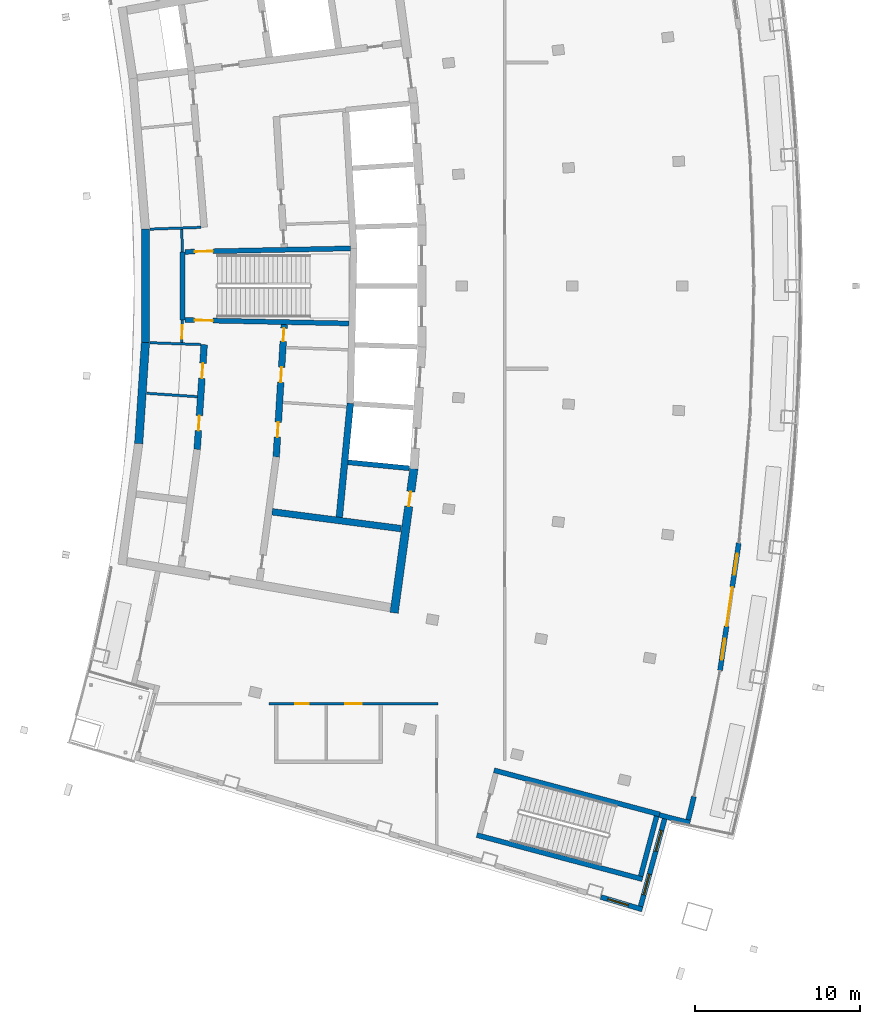
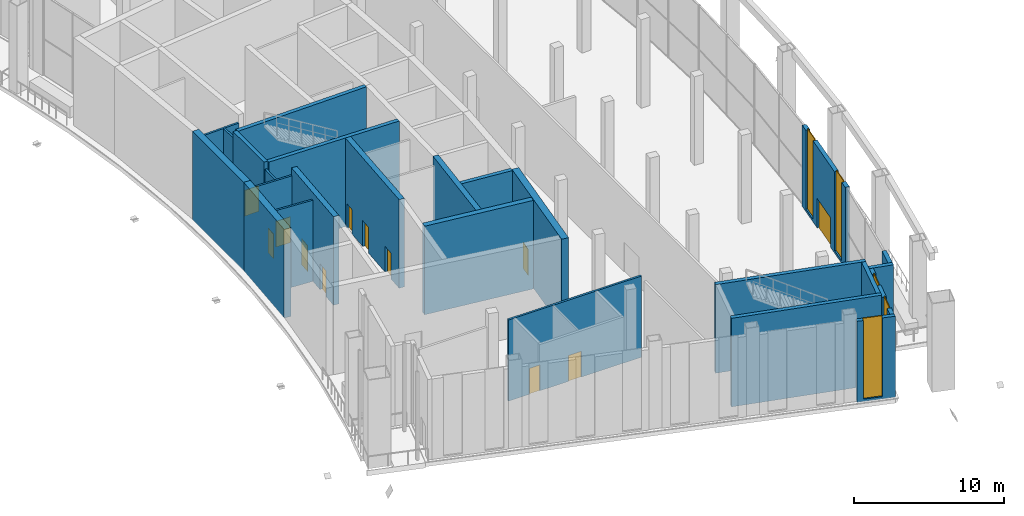
# One storey, part 14 of 25: 25 walls, 12 doors, 5 windows, 17 openings.
"""IFC4 building model written with IfcOpenShell, lengths in metres."""

from ifc_helpers import new_model, si_unit, direction, frame, frame_2d, origin, place, context, subcontext, project, spatial, rectangle, extrude, material, layer, layer_set, type_object, element, fill, save


model = new_model("IFC4")

# Units and contexts
model_context = context("Model", 3, precision=1e-05, world=origin(), true_north=direction((0.0, 1.0)))
body_context = subcontext(model_context, "Body", "Model", "MODEL_VIEW")
ifc_project = project(units=[si_unit("LENGTHUNIT", "METRE"), si_unit("AREAUNIT", "SQUARE_METRE"), si_unit("VOLUMEUNIT", "CUBIC_METRE"), si_unit("PLANEANGLEUNIT", "RADIAN"), si_unit("MASSUNIT", "GRAM", prefix="KILO")], contexts=[model_context])

# Site, building, storey
site_placement = place(None, origin())
site = spatial("IfcSite", under=ifc_project, at=site_placement, CompositionType="ELEMENT")
building_placement = place(site_placement, origin())
building = spatial("IfcBuilding", under=site, at=building_placement, Name="Alderwake Tower", CompositionType="ELEMENT")
storey_placement = place(building_placement, frame((0.0, 0.0, 288.800048828125)))
storey = spatial("IfcBuildingStorey", under=building, at=storey_placement, Name="L72", CompositionType="ELEMENT", Elevation=288.800048828125)

# Wall, opening, door
ifc_material_1 = material(Name="Gypsum shaft wall system, rated")
ifc_layer_1 = layer(ifc_material_1, 0.14990234375)
ifc_layer_set_1 = layer_set([ifc_layer_1], Name="Core room partition 150")
wall_type_1 = type_object("IfcWallType", Name="Core room partition 150", PredefinedType="PARTITIONING", material=ifc_layer_set_1)
wall_1_placement = place(storey_placement, frame((18.918701171875, 58.94384765625, 0.0), z_axis=(0.0, 0.0, 1.0), x_axis=(-0.027811602725, -0.999613182563, 0.0)))
wall_1 = element("IfcWall", 1, at=wall_1_placement, inside=storey, type_object=wall_type_1, Name="CW/L72/PA+24_-37", PredefinedType="PARTITIONING", context=body_context, shape_type="SweptSolid", body=[
    extrude(rectangle(XDim=1.369384765625, YDim=0.14990234375, at=frame_2d((0.6845703125, 0.0))), origin(), (0.0, 0.0, 1.0), 6.599853515625),
])
opening_1_placement = place(wall_1_placement, frame((0.322998046875, 0.0, 0.0)))
opening_1 = element("IfcOpeningElement", 2, at=opening_1_placement, cuts=wall_1, Name="Opening C004", PredefinedType="OPENING", context=body_context, shape_type="SweptSolid", body=[
    extrude(rectangle(XDim=0.800048828125, YDim=2.0, at=frame_2d((0.39990234375, 1.0))), frame((0.0, 0.0849609375, 0.0), z_axis=(0.0, -1.0, 0.0), x_axis=(1.0, 0.0, 0.0)), (0.0, 0.0, 1.0), 0.169921875),
])
ifc_material_2 = material(Name="Painted steel leaf, rated", Category="steel")
door_type_1 = type_object("IfcDoorType", Name="Riser access door 800", OperationType="SINGLE_SWING_LEFT", PredefinedType="DOOR", material=ifc_material_2)
door_1_placement = place(opening_1_placement, origin())
door_1 = element("IfcDoor", 3, at=door_1_placement, inside=storey, type_object=door_type_1, Name="Riser access door", OperationType="SINGLE_SWING_RIGHT", OverallHeight=2.0, OverallWidth=0.800048828125, PredefinedType="DOOR", context=body_context, shape_type="SweptSolid", body=[
    extrude(rectangle(XDim=0.800048828125, YDim=2.0, at=frame_2d((0.39990234375, 1.0))), frame((0.0, 0.02490234375, 0.0), z_axis=(0.0, -1.0, 0.0), x_axis=(1.0, 0.0, 0.0)), (0.0, 0.0, 1.0), 0.050048828125),
])
fill(opening_1, door_1)

# Walls
wall_2_placement = place(storey_placement, frame((18.918701171875, 63.05517578125, 0.0), z_axis=(0.0, 0.0, 1.0), x_axis=(-0.027791791559, 0.99961373356, 0.0)))
element("IfcWall", 4, at=wall_2_placement, inside=storey, type_object=wall_type_1, Name="CW/L72/PA+24_+22", PredefinedType="PARTITIONING", context=body_context, shape_type="SweptSolid", body=[
    extrude(rectangle(XDim=1.370361328125, YDim=0.14990234375, at=frame_2d((0.68505859375, 0.0))), origin(), (0.0, 0.0, 1.0), 6.599853515625),
])
wall_3_placement = place(storey_placement, frame((16.7646484375, 54.512939453125, 0.0), z_axis=(0.0, 0.0, 1.0), x_axis=(0.997758318264, -0.066920388042, 0.0)))
element("IfcWall", 5, at=wall_3_placement, inside=storey, type_object=wall_type_1, Name="CW/L72/PR-70_+0", PredefinedType="PARTITIONING", context=body_context, shape_type="SweptSolid", body=[
    extrude(rectangle(XDim=3.068115234375, YDim=0.14990234375, at=frame_2d((1.5341796875, 0.0))), origin(), (0.0, 0.0, 1.0), 6.599853515625),
])
for number, where, z_axis, x_axis, name in (
    (6, (16.969482421875, 57.5673828125, 0.0), (0.0, 0.0, 1.0), (0.999376258731, -0.035314210814, 0.0), "CW/L72/PR-37_+0"),
    (7, (16.969482421875, 64.4326171875, 0.0), (0.0, 0.0, 1.0), (0.999376258731, 0.035314210814, 0.0), "CW/L72/PR+37_+0"),
):
    element("IfcWall", number, at=place(storey_placement, frame(where, z_axis=z_axis, x_axis=x_axis)), inside=storey, type_object=wall_type_1, Name=name, PredefinedType="PARTITIONING", context=body_context, shape_type="SweptSolid", body=[
        extrude(rectangle(XDim=3.069580078125, YDim=0.14990234375, at=frame_2d((1.53466796875, 0.0))), origin(), (0.0, 0.0, 1.0), 6.599853515625),
    ])
ifc_material_3 = material(Name="Concrete C70/85", Category="concrete")
ifc_layer_2 = layer(ifc_material_3, 0.5)
ifc_layer_set_2 = layer_set([ifc_layer_2], Name="Core wall outer 500 C70-85")
wall_type_2 = type_object("IfcWallType", Name="Core wall outer 500 C70-85", PredefinedType="SHEAR", material=ifc_layer_set_2)
wall_4_placement = place(storey_placement, frame((16.280517578125, 51.4765625, 0.0), z_axis=(0.0, 0.0, 1.0), x_axis=(0.066863022947, 0.997762164127, 0.0)))
element("IfcWall", 8, at=wall_4_placement, inside=storey, type_object=wall_type_2, Name="Core wall CW.027", PredefinedType="SHEAR", context=body_context, shape_type="SweptSolid", body=[
    extrude(rectangle(XDim=6.123291015625, YDim=0.5, at=frame_2d((3.0615234375, 0.0))), origin(), (0.0, 0.0, 1.0), 7.199951171875),
])
wall_5_placement = place(storey_placement, frame((16.689453125, 57.568603515625, 0.0), z_axis=(0.0, 0.0, 1.0), x_axis=(0.0, 1.0, 0.0)))
element("IfcWall", 9, at=wall_5_placement, inside=storey, type_object=wall_type_2, Name="Core wall CW.029", PredefinedType="SHEAR", context=body_context, shape_type="SweptSolid", body=[
    extrude(rectangle(XDim=6.86474609375, YDim=0.5, at=frame_2d((3.432373046875, 0.0))), origin(), (0.0, 0.0, 1.0), 7.199951171875),
])

# Wall, opening, door
wall_6_placement = place(storey_placement, frame((32.912109375, 49.960693359375, 0.0), z_axis=(0.0, 0.0, 1.0), x_axis=(-0.1358539401, -0.990728876615, 0.0)))
wall_6 = element("IfcWall", 10, at=wall_6_placement, inside=storey, type_object=wall_type_2, Name="Core wall CW.022", PredefinedType="SHEAR", context=body_context, shape_type="SweptSolid", body=[
    extrude(rectangle(XDim=8.794921875, YDim=0.5, at=frame_2d((4.3974609375, 0.0))), origin(), (0.0, 0.0, 1.0), 7.199951171875),
])
opening_2_placement = place(wall_6_placement, frame((1.40283203125, 0.0, 0.0)))
opening_2 = element("IfcOpeningElement", 11, at=opening_2_placement, cuts=wall_6, Name="Opening C050", PredefinedType="OPENING", context=body_context, shape_type="SweptSolid", body=[
    extrude(rectangle(XDim=0.89990234375, YDim=2.10009765625, at=frame_2d((0.449951171875, 1.050048828125))), frame((0.0, 0.260009765625, 0.0), z_axis=(0.0, -1.0, 0.0), x_axis=(1.0, 0.0, 0.0)), (0.0, 0.0, 1.0), 0.52001953125),
])
ifc_material_4 = material(Name="Painted steel leaf", Category="steel")
door_type_2 = type_object("IfcDoorType", Name="Core room door 900", OperationType="SINGLE_SWING_LEFT", PredefinedType="DOOR", material=ifc_material_4)
door_2_placement = place(opening_2_placement, origin())
door_2 = element("IfcDoor", 12, at=door_2_placement, inside=storey, type_object=door_type_2, Name="Room door", OperationType="SINGLE_SWING_RIGHT", OverallHeight=2.10009765625, OverallWidth=0.89990234375, PredefinedType="DOOR", context=body_context, shape_type="SweptSolid", body=[
    extrude(rectangle(XDim=0.89990234375, YDim=2.10009765625, at=frame_2d((0.449951171875, 1.050048828125))), frame((0.0, 0.02490234375, 0.0), z_axis=(0.0, -1.0, 0.0), x_axis=(1.0, 0.0, 0.0)), (0.0, 0.0, 1.0), 0.050048828125),
])
fill(opening_2, door_2)

# Wall
ifc_material_5 = material(Name="Concrete C70/85", Category="concrete")
ifc_layer_3 = layer(ifc_material_5, 0.300048828125)
ifc_layer_set_3 = layer_set([ifc_layer_3], Name="Core wall shaft 300 C70-85")
wall_type_3 = type_object("IfcWallType", Name="Core wall shaft 300 C70-85", PredefinedType="SHEAR", material=ifc_layer_set_3)
wall_7_placement = place(storey_placement, frame((28.92529296875, 50.341552734375, 0.0), z_axis=(0.0, 0.0, 1.0), x_axis=(0.995243989982, -0.097413553492, 0.0)))
element("IfcWall", 13, at=wall_7_placement, inside=storey, type_object=wall_type_3, Name="Core wall CW.064", PredefinedType="SHEAR", context=body_context, shape_type="SweptSolid", body=[
    extrude(rectangle(XDim=3.724365234375, YDim=0.300048828125, at=frame_2d((1.8623046875, 0.0))), origin(), (0.0, 0.0, 1.0), 7.199951171875),
])

# Wall, openings, doors
ifc_material_6 = material(Name="Concrete C70/85", Category="concrete")
ifc_layer_4 = layer(ifc_material_6, 0.39990234375)
ifc_layer_set_4 = layer_set([ifc_layer_4], Name="Core wall spine 400 C70-85")
wall_type_4 = type_object("IfcWallType", Name="Core wall spine 400 C70-85", PredefinedType="SHEAR", material=ifc_layer_set_4)
wall_8_placement = place(storey_placement, frame((20.2373046875, 57.451904296875, 0.0), z_axis=(0.0, 0.0, 1.0), x_axis=(-0.066884681503, -0.997760712486, 0.0)))
wall_8 = element("IfcWall", 14, at=wall_8_placement, inside=storey, type_object=wall_type_4, Name="Core wall CW.032", PredefinedType="SHEAR", context=body_context, shape_type="SweptSolid", body=[
    extrude(rectangle(XDim=6.336669921875, YDim=0.39990234375, at=frame_2d((3.16845703125, 0.0))), origin(), (0.0, 0.0, 1.0), 7.199951171875),
])
opening_3_placement = place(wall_8_placement, frame((4.29736328125, 0.0, 0.0)))
opening_3 = element("IfcOpeningElement", 15, at=opening_3_placement, cuts=wall_8, Name="Opening C038", PredefinedType="OPENING", context=body_context, shape_type="SweptSolid", body=[
    extrude(rectangle(XDim=0.89990234375, YDim=2.10009765625, at=frame_2d((0.449951171875, 1.050048828125))), frame((0.0, 0.2099609375, 0.0), z_axis=(0.0, -1.0, 0.0), x_axis=(1.0, 0.0, 0.0)), (0.0, 0.0, 1.0), 0.419921875),
])
opening_4_placement = place(wall_8_placement, frame((1.132080078125, 0.0, 0.0)))
opening_4 = element("IfcOpeningElement", 16, at=opening_4_placement, cuts=wall_8, Name="Opening C042", PredefinedType="OPENING", context=body_context, shape_type="SweptSolid", body=[
    extrude(rectangle(XDim=0.89990234375, YDim=2.10009765625, at=frame_2d((0.449951171875, 1.050048828125))), frame((0.0, 0.2099609375, 0.0), z_axis=(0.0, -1.0, 0.0), x_axis=(1.0, 0.0, 0.0)), (0.0, 0.0, 1.0), 0.419921875),
])
door_3_placement = place(opening_3_placement, origin())
door_3 = element("IfcDoor", 17, at=door_3_placement, inside=storey, type_object=door_type_2, Name="Room door", OperationType="SINGLE_SWING_RIGHT", OverallHeight=2.10009765625, OverallWidth=0.89990234375, PredefinedType="DOOR", context=body_context, shape_type="SweptSolid", body=[
    extrude(rectangle(XDim=0.89990234375, YDim=2.10009765625, at=frame_2d((0.449951171875, 1.050048828125))), frame((0.0, 0.02490234375, 0.0), z_axis=(0.0, -1.0, 0.0), x_axis=(1.0, 0.0, 0.0)), (0.0, 0.0, 1.0), 0.050048828125),
])
fill(opening_3, door_3)
door_4_placement = place(opening_4_placement, origin())
door_4 = element("IfcDoor", 18, at=door_4_placement, inside=storey, type_object=door_type_2, Name="Room door", OperationType="SINGLE_SWING_LEFT", OverallHeight=2.10009765625, OverallWidth=0.89990234375, PredefinedType="DOOR", context=body_context, shape_type="SweptSolid", body=[
    extrude(rectangle(XDim=0.89990234375, YDim=2.10009765625, at=frame_2d((0.449951171875, 1.050048828125))), frame((0.0, 0.02490234375, 0.0), z_axis=(0.0, -1.0, 0.0), x_axis=(1.0, 0.0, 0.0)), (0.0, 0.0, 1.0), 0.050048828125),
])
fill(opening_4, door_4)

wall_9_placement = place(storey_placement, frame((24.590087890625, 50.65673828125, 0.0), z_axis=(0.0, 0.0, 1.0), x_axis=(0.060318641452, 0.998179173041, 0.0)))
wall_9 = element("IfcWall", 19, at=wall_9_placement, inside=storey, type_object=wall_type_4, Name="Core wall CW.046", PredefinedType="SHEAR", context=body_context, shape_type="SweptSolid", body=[
    extrude(rectangle(XDim=8.022216796875, YDim=0.39990234375, at=frame_2d((4.01123046875, 0.0))), origin(), (0.0, 0.0, 1.0), 7.199951171875),
])
opening_5_placement = place(wall_9_placement, frame((7.006103515625, 0.0, 0.0)))
opening_5 = element("IfcOpeningElement", 20, at=opening_5_placement, cuts=wall_9, Name="Opening C006", PredefinedType="OPENING", context=body_context, shape_type="SweptSolid", body=[
    extrude(rectangle(XDim=0.800048828125, YDim=2.0, at=frame_2d((0.39990234375, 1.0))), frame((0.0, 0.2099609375, 0.0), z_axis=(0.0, -1.0, 0.0), x_axis=(1.0, 0.0, 0.0)), (0.0, 0.0, 1.0), 0.419921875),
])
opening_6_placement = place(wall_9_placement, frame((1.21533203125, 0.0, 0.0)))
opening_6 = element("IfcOpeningElement", 21, at=opening_6_placement, cuts=wall_9, Name="Opening C044", PredefinedType="OPENING", context=body_context, shape_type="SweptSolid", body=[
    extrude(rectangle(XDim=0.89990234375, YDim=2.10009765625, at=frame_2d((0.449951171875, 1.050048828125))), frame((0.0, 0.2099609375, 0.0), z_axis=(0.0, -1.0, 0.0), x_axis=(1.0, 0.0, 0.0)), (0.0, 0.0, 1.0), 0.419921875),
])
opening_7_placement = place(wall_9_placement, frame((4.531982421875, 0.0, 0.0)))
opening_7 = element("IfcOpeningElement", 22, at=opening_7_placement, cuts=wall_9, Name="Opening C048", PredefinedType="OPENING", context=body_context, shape_type="SweptSolid", body=[
    extrude(rectangle(XDim=0.89990234375, YDim=2.10009765625, at=frame_2d((0.449951171875, 1.050048828125))), frame((0.0, 0.2099609375, 0.0), z_axis=(0.0, -1.0, 0.0), x_axis=(1.0, 0.0, 0.0)), (0.0, 0.0, 1.0), 0.419921875),
])
door_5_placement = place(opening_6_placement, origin())
door_5 = element("IfcDoor", 23, at=door_5_placement, inside=storey, type_object=door_type_2, Name="Room door", OperationType="SINGLE_SWING_RIGHT", OverallHeight=2.10009765625, OverallWidth=0.89990234375, PredefinedType="DOOR", context=body_context, shape_type="SweptSolid", body=[
    extrude(rectangle(XDim=0.89990234375, YDim=2.10009765625, at=frame_2d((0.449951171875, 1.050048828125))), frame((0.0, 0.02490234375, 0.0), z_axis=(0.0, -1.0, 0.0), x_axis=(1.0, 0.0, 0.0)), (0.0, 0.0, 1.0), 0.050048828125),
])
fill(opening_6, door_5)
door_6_placement = place(opening_7_placement, origin())
door_6 = element("IfcDoor", 24, at=door_6_placement, inside=storey, type_object=door_type_2, Name="Room door", OperationType="SINGLE_SWING_LEFT", OverallHeight=2.10009765625, OverallWidth=0.89990234375, PredefinedType="DOOR", context=body_context, shape_type="SweptSolid", body=[
    extrude(rectangle(XDim=0.89990234375, YDim=2.10009765625, at=frame_2d((0.449951171875, 1.050048828125))), frame((0.0, 0.02490234375, 0.0), z_axis=(0.0, -1.0, 0.0), x_axis=(1.0, 0.0, 0.0)), (0.0, 0.0, 1.0), 0.050048828125),
])
fill(opening_7, door_6)
door_7_placement = place(opening_5_placement, origin())
door_7 = element("IfcDoor", 25, at=door_7_placement, inside=storey, type_object=door_type_1, Name="Riser access door", OperationType="SINGLE_SWING_RIGHT", OverallHeight=2.0, OverallWidth=0.800048828125, PredefinedType="DOOR", context=body_context, shape_type="SweptSolid", body=[
    extrude(rectangle(XDim=0.800048828125, YDim=2.0, at=frame_2d((0.39990234375, 1.0))), frame((0.0, 0.02490234375, 0.0), z_axis=(0.0, -1.0, 0.0), x_axis=(1.0, 0.0, 0.0)), (0.0, 0.0, 1.0), 0.050048828125),
])
fill(opening_5, door_7)

# Walls
wall_10_placement = place(storey_placement, frame((28.402587890625, 47.0234375, 0.0), z_axis=(0.0, 0.0, 1.0), x_axis=(0.096500230077, 0.995332962177, 0.0)))
element("IfcWall", 26, at=wall_10_placement, inside=storey, type_object=wall_type_4, Name="Core wall CW.005", PredefinedType="SHEAR", context=body_context, shape_type="SweptSolid", body=[
    extrude(rectangle(XDim=6.914306640625, YDim=0.39990234375, at=frame_2d((3.45703125, 0.0))), origin(), (0.0, 0.0, 1.0), 7.199951171875),
])
wall_11_placement = place(storey_placement, frame((24.344482421875, 47.3525390625, 0.0), z_axis=(0.0, 0.0, 1.0), x_axis=(0.991554935657, -0.129687353175, 0.0)))
element("IfcWall", 27, at=wall_11_placement, inside=storey, type_object=wall_type_4, Name="Core wall CW.069", PredefinedType="SHEAR", context=body_context, shape_type="SweptSolid", body=[
    extrude(rectangle(XDim=7.85400390625, YDim=0.39990234375, at=frame_2d((3.927001953125, 0.0))), origin(), (0.0, 0.0, 1.0), 7.199951171875),
])
ifc_material_7 = material(Name="Concrete C70/85", Category="concrete")
ifc_layer_5 = layer(ifc_material_7, 0.300048828125)
ifc_layer_set_5 = layer_set([ifc_layer_5], Name="Core wall stair enclosure 300 C70-85")
wall_type_5 = type_object("IfcWallType", Name="Core wall stair enclosure 300 C70-85", PredefinedType="SHEAR", material=ifc_layer_set_5)
wall_12_placement = place(storey_placement, frame((18.918701171875, 58.940673828125, 0.0), z_axis=(0.0, 0.0, 1.0), x_axis=(0.0, 1.0, 0.0)))
element("IfcWall", 28, at=wall_12_placement, inside=storey, type_object=wall_type_5, Name="Core wall CW.024", PredefinedType="SHEAR", context=body_context, shape_type="SweptSolid", body=[
    extrude(rectangle(XDim=4.11962890625, YDim=0.300048828125, at=frame_2d((2.059814453125, 0.0))), origin(), (0.0, 0.0, 1.0), 7.199951171875),
])

# Wall, opening, door
wall_13_placement = place(storey_placement, frame((28.975830078125, 58.733154296875, 0.0), z_axis=(0.0, 0.0, 1.0), x_axis=(-0.999783782948, 0.020793925895, 0.0)))
wall_13 = element("IfcWall", 29, at=wall_13_placement, inside=storey, type_object=wall_type_5, Name="Core wall CW.074", PredefinedType="SHEAR", context=body_context, shape_type="SweptSolid", body=[
    extrude(rectangle(XDim=9.909423828125, YDim=0.300048828125, at=frame_2d((4.95458984375, 0.0))), origin(), (0.0, 0.0, 1.0), 7.199951171875),
])
opening_8_placement = place(wall_13_placement, frame((8.20947265625, 0.0, 0.0)))
opening_8 = element("IfcOpeningElement", 30, at=opening_8_placement, cuts=wall_13, Name="Opening C063", PredefinedType="OPENING", context=body_context, shape_type="SweptSolid", body=[
    extrude(rectangle(XDim=1.10009765625, YDim=2.10009765625, at=frame_2d((0.550048828125, 1.050048828125))), frame((0.0, 0.159912109375, 0.0), z_axis=(0.0, -1.0, 0.0), x_axis=(1.0, 0.0, 0.0)), (0.0, 0.0, 1.0), 0.320068359375),
])
ifc_material_8 = material(Name="Steel-framed fire door leaf", Category="steel")
door_type_3 = type_object("IfcDoorType", Name="Core stair door 1100 fire-rated", OperationType="SINGLE_SWING_LEFT", PredefinedType="DOOR", material=ifc_material_8)
door_8_placement = place(opening_8_placement, origin())
door_8 = element("IfcDoor", 31, at=door_8_placement, inside=storey, type_object=door_type_3, Name="Stair door", OperationType="SINGLE_SWING_LEFT", OverallHeight=2.10009765625, OverallWidth=1.10009765625, PredefinedType="DOOR", context=body_context, shape_type="SweptSolid", body=[
    extrude(rectangle(XDim=1.10009765625, YDim=2.10009765625, at=frame_2d((0.550048828125, 1.050048828125))), frame((0.0, 0.02490234375, 0.0), z_axis=(0.0, -1.0, 0.0), x_axis=(1.0, 0.0, 0.0)), (0.0, 0.0, 1.0), 0.050048828125),
])
fill(opening_8, door_8)

wall_14_placement = place(storey_placement, frame((19.068603515625, 63.060791015625, 0.0), z_axis=(0.0, 0.0, 1.0), x_axis=(0.999783553773, 0.02080494185, 0.0)))
wall_14 = element("IfcWall", 32, at=wall_14_placement, inside=storey, type_object=wall_type_5, Name="Core wall CW.057", PredefinedType="SHEAR", context=body_context, shape_type="SweptSolid", body=[
    extrude(rectangle(XDim=10.009765625, YDim=0.300048828125, at=frame_2d((5.0048828125, 0.0))), origin(), (0.0, 0.0, 1.0), 7.199951171875),
])
opening_9_placement = place(wall_14_placement, frame((0.60009765625, 0.0, 0.0)))
opening_9 = element("IfcOpeningElement", 33, at=opening_9_placement, cuts=wall_14, Name="Opening C064", PredefinedType="OPENING", context=body_context, shape_type="SweptSolid", body=[
    extrude(rectangle(XDim=1.10009765625, YDim=2.10009765625, at=frame_2d((0.550048828125, 1.050048828125))), frame((0.0, 0.159912109375, 0.0), z_axis=(0.0, -1.0, 0.0), x_axis=(1.0, 0.0, 0.0)), (0.0, 0.0, 1.0), 0.320068359375),
])
door_9_placement = place(opening_9_placement, origin())
door_9 = element("IfcDoor", 34, at=door_9_placement, inside=storey, type_object=door_type_3, Name="Stair door", OperationType="SINGLE_SWING_RIGHT", OverallHeight=2.10009765625, OverallWidth=1.10009765625, PredefinedType="DOOR", context=body_context, shape_type="SweptSolid", body=[
    extrude(rectangle(XDim=1.10009765625, YDim=2.10009765625, at=frame_2d((0.550048828125, 1.050048828125))), frame((0.0, 0.02490234375, 0.0), z_axis=(0.0, -1.0, 0.0), x_axis=(1.0, 0.0, 0.0)), (0.0, 0.0, 1.0), 0.050048828125),
])
fill(opening_9, door_9)

# Walls
for number, where, z_axis, x_axis, name in (
    (35, (37.75390625, 31.731201171875, 0.0), (0.0, 0.0, 1.0), (0.966309214305, -0.257383958996, 0.0), "Core wall CW.086"),
    (36, (36.71142578125, 27.817626953125, 0.0), (0.0, 0.0, 1.0), (0.966309214305, -0.257383958996, 0.0), "Core wall CW.088"),
):
    element("IfcWall", number, at=place(storey_placement, frame(where, z_axis=z_axis, x_axis=x_axis)), inside=storey, type_object=wall_type_5, Name=name, PredefinedType="SHEAR", context=body_context, shape_type="SweptSolid", body=[
        extrude(rectangle(XDim=10.360107421875, YDim=0.300048828125, at=frame_2d((5.18017578125, 0.0))), origin(), (0.0, 0.0, 1.0), 7.199951171875),
    ])
wall_15_placement = place(storey_placement, frame((46.6162109375, 25.334716796875, 0.0), z_axis=(0.0, 0.0, 1.0), x_axis=(0.257366821694, 0.966313778796, 0.0)))
element("IfcWall", 37, at=wall_15_placement, inside=storey, type_object=wall_type_5, Name="Core wall CW.085", PredefinedType="SHEAR", context=body_context, shape_type="SweptSolid", body=[
    extrude(rectangle(XDim=3.749755859375, YDim=0.300048828125, at=frame_2d((1.875, 0.0))), origin(), (0.0, 0.0, 1.0), 7.199951171875),
])

# Wall, openings, doors
ifc_material_9 = material(Name="Gypsum board on metal studs, rated")
ifc_layer_6 = layer(ifc_material_9, 0.159912109375)
ifc_layer_set_6 = layer_set([ifc_layer_6], Name="Corridor wall 160")
wall_type_6 = type_object("IfcWallType", Name="Corridor wall 160", PredefinedType="PARTITIONING", material=ifc_layer_set_6)
wall_16_placement = place(storey_placement, frame((24.153076171875, 35.7509765625, 0.0), z_axis=(0.0, 0.0, 1.0), x_axis=(1.0, 0.0, 0.0)))
wall_16 = element("IfcWall", 38, at=wall_16_placement, inside=storey, type_object=wall_type_6, Name="WL/L72/W11", PredefinedType="PARTITIONING", context=body_context, shape_type="SweptSolid", body=[
    extrude(rectangle(XDim=10.225830078125, YDim=0.159912109375, at=frame_2d((5.11279296875, 0.0))), origin(), (0.0, 0.0, 1.0), 6.599853515625),
])
opening_10_placement = place(wall_16_placement, frame((1.596923828125, 0.0, 0.0)))
opening_10 = element("IfcOpeningElement", 39, at=opening_10_placement, cuts=wall_16, Name="Opening L72-07", PredefinedType="OPENING", context=body_context, shape_type="SweptSolid", body=[
    extrude(rectangle(XDim=0.800048828125, YDim=2.10009765625, at=frame_2d((0.39990234375, 1.050048828125))), frame((0.0, 0.08984375, 0.0), z_axis=(0.0, -1.0, 0.0), x_axis=(1.0, 0.0, 0.0)), (0.0, 0.0, 1.0), 0.179931640625),
])
opening_11_placement = place(wall_16_placement, frame((4.596923828125, 0.0, 0.0)))
opening_11 = element("IfcOpeningElement", 40, at=opening_11_placement, cuts=wall_16, Name="Opening L72-08", PredefinedType="OPENING", context=body_context, shape_type="SweptSolid", body=[
    extrude(rectangle(XDim=1.0, YDim=2.10009765625, at=frame_2d((0.5, 1.050048828125))), frame((0.0, 0.08984375, 0.0), z_axis=(0.0, -1.0, 0.0), x_axis=(1.0, 0.0, 0.0)), (0.0, 0.0, 1.0), 0.179931640625),
])
ifc_material_10 = material(Name="Painted timber leaf", Category="wood")
door_type_4 = type_object("IfcDoorType", Name="Accessible WC door 1000", OperationType="SINGLE_SWING_LEFT", PredefinedType="DOOR", material=ifc_material_10)
door_10_placement = place(opening_11_placement, origin())
door_10 = element("IfcDoor", 41, at=door_10_placement, inside=storey, type_object=door_type_4, Name="DR/L72/08", OperationType="SINGLE_SWING_LEFT", OverallHeight=2.10009765625, OverallWidth=1.0, PredefinedType="DOOR", context=body_context, shape_type="SweptSolid", body=[
    extrude(rectangle(XDim=1.0, YDim=2.10009765625, at=frame_2d((0.5, 1.050048828125))), frame((0.0, 0.02490234375, 0.0), z_axis=(0.0, -1.0, 0.0), x_axis=(1.0, 0.0, 0.0)), (0.0, 0.0, 1.0), 0.050048828125),
])
fill(opening_11, door_10)
ifc_material_11 = material(Name="Painted timber leaf", Category="wood")
door_type_5 = type_object("IfcDoorType", Name="Bathroom door 800", OperationType="SINGLE_SWING_LEFT", PredefinedType="DOOR", material=ifc_material_11)
door_11_placement = place(opening_10_placement, origin())
door_11 = element("IfcDoor", 42, at=door_11_placement, inside=storey, type_object=door_type_5, Name="DR/L72/07", OperationType="SINGLE_SWING_LEFT", OverallHeight=2.10009765625, OverallWidth=0.800048828125, PredefinedType="DOOR", context=body_context, shape_type="SweptSolid", body=[
    extrude(rectangle(XDim=0.800048828125, YDim=2.10009765625, at=frame_2d((0.39990234375, 1.050048828125))), frame((0.0, 0.02490234375, 0.0), z_axis=(0.0, -1.0, 0.0), x_axis=(1.0, 0.0, 0.0)), (0.0, 0.0, 1.0), 0.050048828125),
])
fill(opening_10, door_11)

# Wall
ifc_material_12 = material(Name="Precast concrete C50/60 spandrel panel", Category="concrete")
ifc_layer_7 = layer(ifc_material_12, 0.300048828125)
ifc_layer_set_7 = layer_set([ifc_layer_7], Name="External wall EW1 Precast concrete C50/60 spandrel")
wall_type_7 = type_object("IfcWallType", Name="External wall EW1 Precast concrete C50/60 spandrel", PredefinedType="SOLIDWALL", material=ifc_layer_set_7)
wall_17_placement = place(storey_placement, frame((49.489013671875, 28.739013671875, 0.0), z_axis=(0.0, 0.0, 1.0), x_axis=(0.238323658649, 0.971185787441, 0.0)))
element("IfcWall", 43, at=wall_17_placement, inside=storey, type_object=wall_type_7, Name="External wall 14", PredefinedType="SOLIDWALL", context=body_context, shape_type="SweptSolid", body=[
    extrude(rectangle(XDim=1.446533203125, YDim=0.300048828125, at=frame_2d((0.72314453125, 0.0))), origin(), (0.0, 0.0, 1.0), 6.599853515625),
])

# Wall, openings, door, windows
wall_18_placement = place(storey_placement, frame((51.41162109375, 37.763916015625, 0.0), z_axis=(0.0, 0.0, 1.0), x_axis=(0.145300810995, 0.989387524848, 0.0)))
wall_18 = element("IfcWall", 44, at=wall_18_placement, inside=storey, type_object=wall_type_7, Name="External wall 15", PredefinedType="SOLIDWALL", context=body_context, shape_type="SweptSolid", body=[
    extrude(rectangle(XDim=7.7861328125, YDim=0.300048828125, at=frame_2d((3.89306640625, 0.0))), origin(), (0.0, 0.0, 1.0), 6.599853515625),
])
opening_12_placement = place(wall_18_placement, frame((0.647705078125, 0.0, 0.199951171875)))
opening_12 = element("IfcOpeningElement", 45, at=opening_12_placement, cuts=wall_18, Name="Opening W5", PredefinedType="OPENING", context=body_context, shape_type="SweptSolid", body=[
    extrude(rectangle(XDim=1.300048828125, YDim=6.5, at=frame_2d((0.64990234375, 3.25))), frame((0.0, 0.159912109375, 0.0), z_axis=(0.0, -1.0, 0.0), x_axis=(1.0, 0.0, 0.0)), (0.0, 0.0, 1.0), 0.320068359375),
])
opening_13_placement = place(wall_18_placement, frame((2.693115234375, 0.0, 0.0)))
opening_13 = element("IfcOpeningElement", 46, at=opening_13_placement, cuts=wall_18, Name="Opening D03", PredefinedType="OPENING", context=body_context, shape_type="SweptSolid", body=[
    extrude(rectangle(XDim=2.39990234375, YDim=2.39990234375, at=frame_2d((1.199951171875, 1.199951171875))), frame((0.0, 0.159912109375, 0.0), z_axis=(0.0, -1.0, 0.0), x_axis=(1.0, 0.0, 0.0)), (0.0, 0.0, 1.0), 0.320068359375),
])
opening_14_placement = place(wall_18_placement, frame((5.838623046875, 0.0, 0.199951171875)))
opening_14 = element("IfcOpeningElement", 47, at=opening_14_placement, cuts=wall_18, Name="Opening W5", PredefinedType="OPENING", context=body_context, shape_type="SweptSolid", body=[
    extrude(rectangle(XDim=1.300048828125, YDim=6.5, at=frame_2d((0.64990234375, 3.25))), frame((0.0, 0.159912109375, 0.0), z_axis=(0.0, -1.0, 0.0), x_axis=(1.0, 0.0, 0.0)), (0.0, 0.0, 1.0), 0.320068359375),
])
ifc_material_13 = material(Name="Bronze tinted glass in aluminium frame", Category="aluminium")
door_type_6 = type_object("IfcDoorType", Name="Garden door GD sliding", OperationType="DOUBLE_DOOR_SINGLE_SWING", PredefinedType="DOOR", material=ifc_material_13)
door_12_placement = place(opening_13_placement, origin())
door_12 = element("IfcDoor", 48, at=door_12_placement, inside=storey, type_object=door_type_6, Name="Door D03", OperationType="DOUBLE_DOOR_SINGLE_SWING", OverallHeight=2.39990234375, OverallWidth=2.39990234375, PredefinedType="DOOR", context=body_context, shape_type="SweptSolid", body=[
    extrude(rectangle(XDim=2.39990234375, YDim=2.39990234375, at=frame_2d((1.199951171875, 1.199951171875))), frame((0.0, 0.02490234375, 0.0), z_axis=(0.0, -1.0, 0.0), x_axis=(1.0, 0.0, 0.0)), (0.0, 0.0, 1.0), 0.050048828125),
])
fill(opening_13, door_12)
ifc_material_14 = material(Name="Bronze tinted glass in aluminium frame", Category="aluminium")
window_type = type_object("IfcWindowType", Name="Window W5 garden floor tall", PartitioningType="SINGLE_PANEL", PredefinedType="WINDOW", material=ifc_material_14)
window_1_placement = place(opening_12_placement, origin())
window_1 = element("IfcWindow", 49, at=window_1_placement, inside=storey, type_object=window_type, Name="Window W5 garden floor tall", OverallHeight=6.5, OverallWidth=1.300048828125, PartitioningType="SINGLE_PANEL", PredefinedType="WINDOW", context=body_context, shape_type="SweptSolid", body=[
    extrude(rectangle(XDim=1.300048828125, YDim=6.5, at=frame_2d((0.64990234375, 3.25))), frame((0.0, 0.030029296875, 0.0), z_axis=(0.0, -1.0, 0.0), x_axis=(1.0, 0.0, 0.0)), (0.0, 0.0, 1.0), 0.06005859375),
])
fill(opening_12, window_1)
window_2_placement = place(opening_14_placement, origin())
window_2 = element("IfcWindow", 50, at=window_2_placement, inside=storey, type_object=window_type, Name="Window W5 garden floor tall", OverallHeight=6.5, OverallWidth=1.300048828125, PartitioningType="SINGLE_PANEL", PredefinedType="WINDOW", context=body_context, shape_type="SweptSolid", body=[
    extrude(rectangle(XDim=1.300048828125, YDim=6.5, at=frame_2d((0.64990234375, 3.25))), frame((0.0, 0.030029296875, 0.0), z_axis=(0.0, -1.0, 0.0), x_axis=(1.0, 0.0, 0.0)), (0.0, 0.0, 1.0), 0.06005859375),
])
fill(opening_14, window_2)

# Wall, opening, window
ifc_material_15 = material(Name="Bronze metal cladding on lightweight framing")
ifc_layer_8 = layer(ifc_material_15, 0.300048828125)
ifc_layer_set_8 = layer_set([ifc_layer_8], Name="External wall EW2 bronze metal cladding")
wall_type_8 = type_object("IfcWallType", Name="External wall EW2 bronze metal cladding", PredefinedType="SOLIDWALL", material=ifc_layer_set_8)
wall_19_placement = place(storey_placement, frame((44.21142578125, 24.073486328125, 0.0), z_axis=(0.0, 0.0, 1.0), x_axis=(0.957782557739, -0.287493603567, 0.0)))
wall_19 = element("IfcWall", 51, at=wall_19_placement, inside=storey, type_object=wall_type_8, Name="External wall 11", PredefinedType="SOLIDWALL", context=body_context, shape_type="SweptSolid", body=[
    extrude(rectangle(XDim=2.613037109375, YDim=0.300048828125, at=frame_2d((1.306640625, 0.0))), origin(), (0.0, 0.0, 1.0), 6.599853515625),
])
opening_15_placement = place(wall_19_placement, frame((0.4306640625, 0.0, 0.199951171875)))
opening_15 = element("IfcOpeningElement", 52, at=opening_15_placement, cuts=wall_19, Name="Opening W5", PredefinedType="OPENING", context=body_context, shape_type="SweptSolid", body=[
    extrude(rectangle(XDim=1.300048828125, YDim=6.5, at=frame_2d((0.64990234375, 3.25))), frame((0.0, 0.159912109375, 0.0), z_axis=(0.0, -1.0, 0.0), x_axis=(1.0, 0.0, 0.0)), (0.0, 0.0, 1.0), 0.320068359375),
])
window_3_placement = place(opening_15_placement, origin())
window_3 = element("IfcWindow", 53, at=window_3_placement, inside=storey, type_object=window_type, Name="Window W5 garden floor tall", OverallHeight=6.5, OverallWidth=1.300048828125, PartitioningType="SINGLE_PANEL", PredefinedType="WINDOW", context=body_context, shape_type="SweptSolid", body=[
    extrude(rectangle(XDim=1.300048828125, YDim=6.5, at=frame_2d((0.64990234375, 3.25))), frame((0.0, 0.030029296875, 0.0), z_axis=(0.0, -1.0, 0.0), x_axis=(1.0, 0.0, 0.0)), (0.0, 0.0, 1.0), 0.06005859375),
])
fill(opening_15, window_3)

# Wall, openings, windows
wall_20_placement = place(storey_placement, frame((46.610107421875, 23.510009765625, 0.0), z_axis=(0.0, 0.0, 1.0), x_axis=(0.265093283519, 0.964222770439, 0.0)))
wall_20 = element("IfcWall", 54, at=wall_20_placement, inside=storey, type_object=wall_type_8, Name="External wall 12", PredefinedType="SOLIDWALL", context=body_context, shape_type="SweptSolid", body=[
    extrude(rectangle(XDim=5.47705078125, YDim=0.300048828125, at=frame_2d((2.738525390625, 0.0))), origin(), (0.0, 0.0, 1.0), 6.599853515625),
])
opening_16_placement = place(wall_20_placement, frame((0.71923828125, 0.0, 0.199951171875)))
opening_16 = element("IfcOpeningElement", 55, at=opening_16_placement, cuts=wall_20, Name="Opening W5", PredefinedType="OPENING", context=body_context, shape_type="SweptSolid", body=[
    extrude(rectangle(XDim=1.300048828125, YDim=6.5, at=frame_2d((0.64990234375, 3.25))), frame((0.0, 0.159912109375, 0.0), z_axis=(0.0, -1.0, 0.0), x_axis=(1.0, 0.0, 0.0)), (0.0, 0.0, 1.0), 0.320068359375),
])
opening_17_placement = place(wall_20_placement, frame((3.45751953125, 0.0, 0.199951171875)))
opening_17 = element("IfcOpeningElement", 56, at=opening_17_placement, cuts=wall_20, Name="Opening W5", PredefinedType="OPENING", context=body_context, shape_type="SweptSolid", body=[
    extrude(rectangle(XDim=1.300048828125, YDim=6.5, at=frame_2d((0.64990234375, 3.25))), frame((0.0, 0.159912109375, 0.0), z_axis=(0.0, -1.0, 0.0), x_axis=(1.0, 0.0, 0.0)), (0.0, 0.0, 1.0), 0.320068359375),
])
window_4_placement = place(opening_16_placement, origin())
window_4 = element("IfcWindow", 57, at=window_4_placement, inside=storey, type_object=window_type, Name="Window W5 garden floor tall", OverallHeight=6.5, OverallWidth=1.300048828125, PartitioningType="SINGLE_PANEL", PredefinedType="WINDOW", context=body_context, shape_type="SweptSolid", body=[
    extrude(rectangle(XDim=1.300048828125, YDim=6.5, at=frame_2d((0.64990234375, 3.25))), frame((0.0, 0.030029296875, 0.0), z_axis=(0.0, -1.0, 0.0), x_axis=(1.0, 0.0, 0.0)), (0.0, 0.0, 1.0), 0.06005859375),
])
fill(opening_16, window_4)
window_5_placement = place(opening_17_placement, origin())
window_5 = element("IfcWindow", 58, at=window_5_placement, inside=storey, type_object=window_type, Name="Window W5 garden floor tall", OverallHeight=6.5, OverallWidth=1.300048828125, PartitioningType="SINGLE_PANEL", PredefinedType="WINDOW", context=body_context, shape_type="SweptSolid", body=[
    extrude(rectangle(XDim=1.300048828125, YDim=6.5, at=frame_2d((0.64990234375, 3.25))), frame((0.0, 0.030029296875, 0.0), z_axis=(0.0, -1.0, 0.0), x_axis=(1.0, 0.0, 0.0)), (0.0, 0.0, 1.0), 0.06005859375),
])
fill(opening_17, window_5)

# Wall
wall_21_placement = place(storey_placement, frame((47.7412109375, 29.026611328125, 0.0), z_axis=(0.0, 0.0, 1.0), x_axis=(0.969418676932, -0.245412772315, 0.0)))
element("IfcWall", 59, at=wall_21_placement, inside=storey, type_object=wall_type_8, Name="External wall 13", PredefinedType="SOLIDWALL", context=body_context, shape_type="SweptSolid", body=[
    extrude(rectangle(XDim=1.916015625, YDim=0.300048828125, at=frame_2d((0.9580078125, 0.0))), origin(), (0.0, 0.0, 1.0), 6.599853515625),
])

save(model, "model.ifc")
